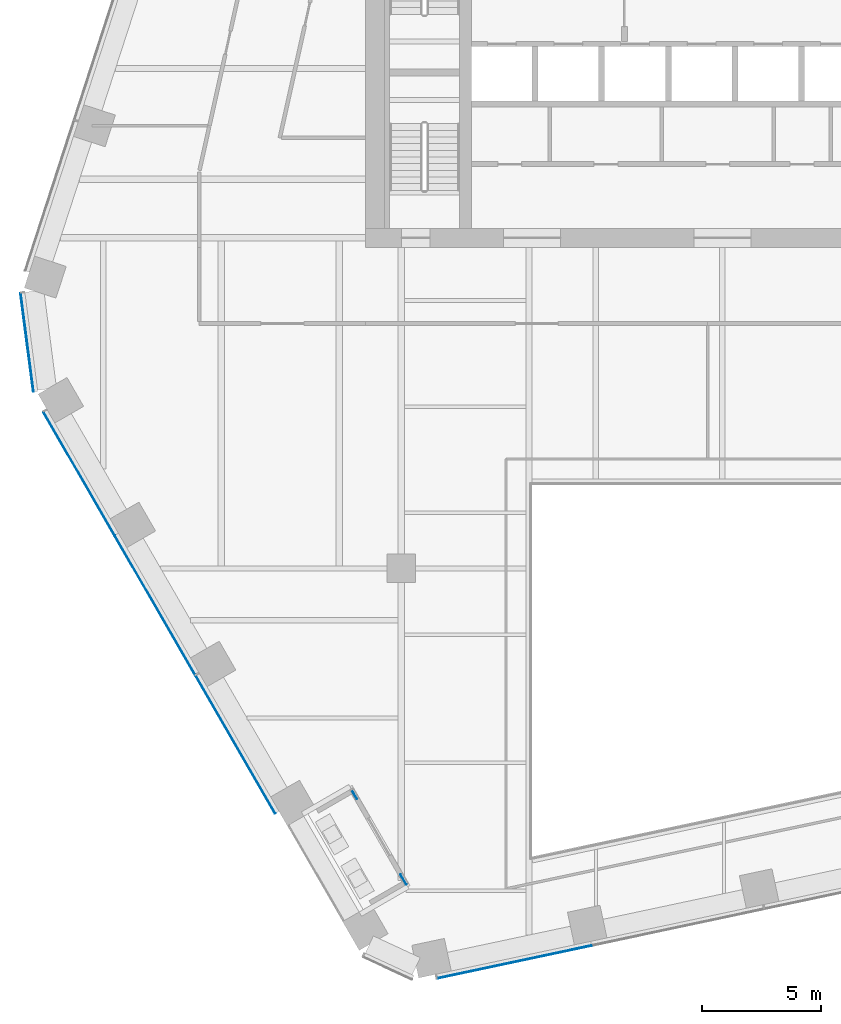
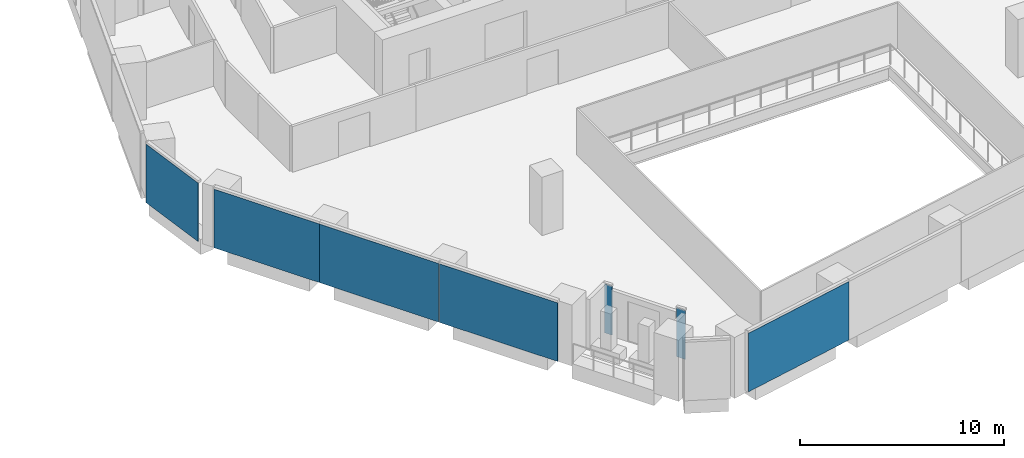
# One storey, part 13 of 26: 7 plates, 4 elements without a shape of their own.
"""IFC4 building model written with IfcOpenShell, lengths in metres."""

from ifc_helpers import new_model, si_unit, direction, frame, origin, origin_2d, place, context, subcontext, project, spatial, rectangle, extrude, material, layer, layer_set, type_object, element, aggregate, save


model = new_model("IFC4")

# Units and contexts
model_context = context("Model", 3, precision=1e-05, world=origin(), true_north=direction((0.0, 1.0)))
body_context = subcontext(model_context, "Body", "Model", "MODEL_VIEW")
ifc_project = project(units=[si_unit("LENGTHUNIT", "METRE"), si_unit("AREAUNIT", "SQUARE_METRE"), si_unit("VOLUMEUNIT", "CUBIC_METRE"), si_unit("PLANEANGLEUNIT", "RADIAN"), si_unit("MASSUNIT", "GRAM", prefix="KILO")], contexts=[model_context])

# Site, building, storey
site_placement = place(None, origin())
site = spatial("IfcSite", under=ifc_project, at=site_placement, CompositionType="ELEMENT")
building_placement = place(site_placement, origin())
building = spatial("IfcBuilding", under=site, at=building_placement, Name="Isthmus Gate Tower", CompositionType="ELEMENT")
storey_placement = place(building_placement, frame((0.0, 0.0, 144.39990234375)))
storey = spatial("IfcBuildingStorey", under=building, at=storey_placement, Name="L35", CompositionType="ELEMENT", Elevation=144.39990234375)

# Curtain wall, plate
ifc_material_1 = material(Name="Aluminium, pale champagne anodised", Category="aluminium")
ifc_layer_1 = layer(ifc_material_1, 0.199951171875)
ifc_layer_set_1 = layer_set([ifc_layer_1], Name="CW-1 UNITISED CURTAIN WALL 200 DEEP")
curtain_wall_type_1 = type_object("IfcCurtainWallType", Name="CW-1 UNITISED CURTAIN WALL 200 DEEP", PredefinedType="NOTDEFINED", material=ifc_layer_set_1)
curtain_wall_1_placement = place(storey_placement, origin())
curtain_wall_1 = element("IfcCurtainWall", 1, at=curtain_wall_1_placement, inside=storey, type_object=curtain_wall_type_1, Name="CW-1 NW-SW L35", PredefinedType="NOTDEFINED")
ifc_material_2 = material(Name="Laminated low-iron glass, pale blue tint", Category="glass")
ifc_layer_2 = layer(ifc_material_2, 0.035888671875)
ifc_layer_set_2 = layer_set([ifc_layer_2], Name="CW-1 CLEAR GLASS LITE 36")
plate_type_1 = type_object("IfcPlateType", Name="CW-1 CLEAR GLASS LITE 36", PredefinedType="CURTAIN_PANEL", material=ifc_layer_set_2)
plate_1_placement = place(storey_placement, frame((-29.234619140625, -3.9990234375, 0.0), z_axis=(0.0, 0.0, 1.0), x_axis=(0.129164534, -0.991623175988, 0.0)))
plate_1 = element("IfcPlate", 2, at=plate_1_placement, type_object=plate_type_1, Name="CW-1 glass lite", PredefinedType="CURTAIN_PANEL", context=body_context, shape_type="SweptSolid", body=[
    extrude(rectangle(XDim=4.181396484375, YDim=0.035888671875, at=origin_2d()), origin(), (0.0, 0.0, 1.0), 3.510009765625),
])
aggregate(curtain_wall_1, [plate_1])

# Curtain wall, plates
curtain_wall_2_placement = place(storey_placement, origin())
curtain_wall_2 = element("IfcCurtainWall", 3, at=curtain_wall_2_placement, inside=storey, type_object=curtain_wall_type_1, Name="CW-1 SW L35", PredefinedType="NOTDEFINED")
plate_2_placement = place(storey_placement, frame((-27.048095703125, -9.515380859375, 0.0), z_axis=(0.0, 0.0, 1.0), x_axis=(0.5, -0.866025403784, 0.0)))
plate_2 = element("IfcPlate", 4, at=plate_2_placement, type_object=plate_type_1, Name="CW-1 glass lite", PredefinedType="CURTAIN_PANEL", context=body_context, shape_type="SweptSolid", body=[
    extrude(rectangle(XDim=5.990234375, YDim=0.035888671875, at=origin_2d()), origin(), (0.0, 0.0, 1.0), 3.510009765625),
])
plate_3_placement = place(storey_placement, frame((-23.863037109375, -15.031982421875, 0.0), z_axis=(0.0, 0.0, 1.0), x_axis=(0.5, -0.866025403784, 0.0)))
plate_3 = element("IfcPlate", 5, at=plate_3_placement, type_object=plate_type_1, Name="CW-1 glass lite", PredefinedType="CURTAIN_PANEL", context=body_context, shape_type="SweptSolid", body=[
    extrude(rectangle(XDim=6.750244140625, YDim=0.035888671875, at=origin_2d()), origin(), (0.0, 0.0, 1.0), 3.510009765625),
])
plate_4_placement = place(storey_placement, frame((-20.472900390625, -20.90380859375, 0.0), z_axis=(0.0, 0.0, 1.0), x_axis=(0.5, -0.866025403784, 0.0)))
plate_4 = element("IfcPlate", 6, at=plate_4_placement, type_object=plate_type_1, Name="CW-1 glass lite", PredefinedType="CURTAIN_PANEL", context=body_context, shape_type="SweptSolid", body=[
    extrude(rectangle(XDim=6.690185546875, YDim=0.035888671875, at=origin_2d()), origin(), (0.0, 0.0, 1.0), 3.510009765625),
])
aggregate(curtain_wall_2, [plate_2, plate_3, plate_4])

# Curtain wall, plate
curtain_wall_3_placement = place(storey_placement, origin())
curtain_wall_3 = element("IfcCurtainWall", 7, at=curtain_wall_3_placement, inside=storey, type_object=curtain_wall_type_1, Name="CW-1 S L35", PredefinedType="NOTDEFINED")
plate_5_placement = place(storey_placement, frame((-8.744384765625, -30.044677734375, 0.0), z_axis=(0.0, 0.0, 1.0), x_axis=(0.978147600734, 0.207911690818, 0.0)))
plate_5 = element("IfcPlate", 8, at=plate_5_placement, type_object=plate_type_1, Name="CW-1 glass lite", PredefinedType="CURTAIN_PANEL", context=body_context, shape_type="SweptSolid", body=[
    extrude(rectangle(XDim=6.630859375, YDim=0.035888671875, at=origin_2d()), origin(), (0.0, 0.0, 1.0), 3.510009765625),
])
aggregate(curtain_wall_3, [plate_5])

# Curtain wall, plates
ifc_material_3 = material(Name="Aluminium, pale champagne anodised", Category="aluminium")
ifc_layer_3 = layer(ifc_material_3, 0.14990234375)
ifc_layer_set_3 = layer_set([ifc_layer_3], Name="CW-6 LOGGIA BACK WALL GLAZING 150 DEEP")
curtain_wall_type_2 = type_object("IfcCurtainWallType", Name="CW-6 LOGGIA BACK WALL GLAZING 150 DEEP", PredefinedType="NOTDEFINED", material=ifc_layer_set_3)
curtain_wall_4_placement = place(storey_placement, origin())
curtain_wall_4 = element("IfcCurtainWall", 9, at=curtain_wall_4_placement, inside=storey, type_object=curtain_wall_type_2, Name="CW-6 SW L35", PredefinedType="NOTDEFINED")
ifc_material_4 = material(Name="Laminated low-iron glass, clear", Category="glass")
ifc_layer_4 = layer(ifc_material_4, 0.031982421875)
ifc_layer_set_4 = layer_set([ifc_layer_4], Name="CW-6 CLEAR GLASS LITE 32")
plate_type_2 = type_object("IfcPlateType", Name="CW-6 CLEAR GLASS LITE 32", PredefinedType="CURTAIN_PANEL", material=ifc_layer_set_4)
plate_6_placement = place(storey_placement, frame((-15.468017578125, -23.008544921875, 0.0), z_axis=(0.0, 0.0, 1.0), x_axis=(0.5, -0.866025403784, 0.0)))
plate_6 = element("IfcPlate", 10, at=plate_6_placement, type_object=plate_type_2, Name="CW-6 glass lite", PredefinedType="CURTAIN_PANEL", context=body_context, shape_type="SweptSolid", body=[
    extrude(rectangle(XDim=0.43994140625, YDim=0.031982421875, at=origin_2d()), origin(), (0.0, 0.0, 1.0), 2.929931640625),
])
plate_7_placement = place(storey_placement, frame((-13.407958984375, -26.57666015625, 0.0), z_axis=(0.0, 0.0, 1.0), x_axis=(0.5, -0.866025403784, 0.0)))
plate_7 = element("IfcPlate", 11, at=plate_7_placement, type_object=plate_type_2, Name="CW-6 glass lite", PredefinedType="CURTAIN_PANEL", context=body_context, shape_type="SweptSolid", body=[
    extrude(rectangle(XDim=0.5, YDim=0.031982421875, at=origin_2d()), origin(), (0.0, 0.0, 1.0), 2.929931640625),
])
aggregate(curtain_wall_4, [plate_6, plate_7])

save(model, "model.ifc")
